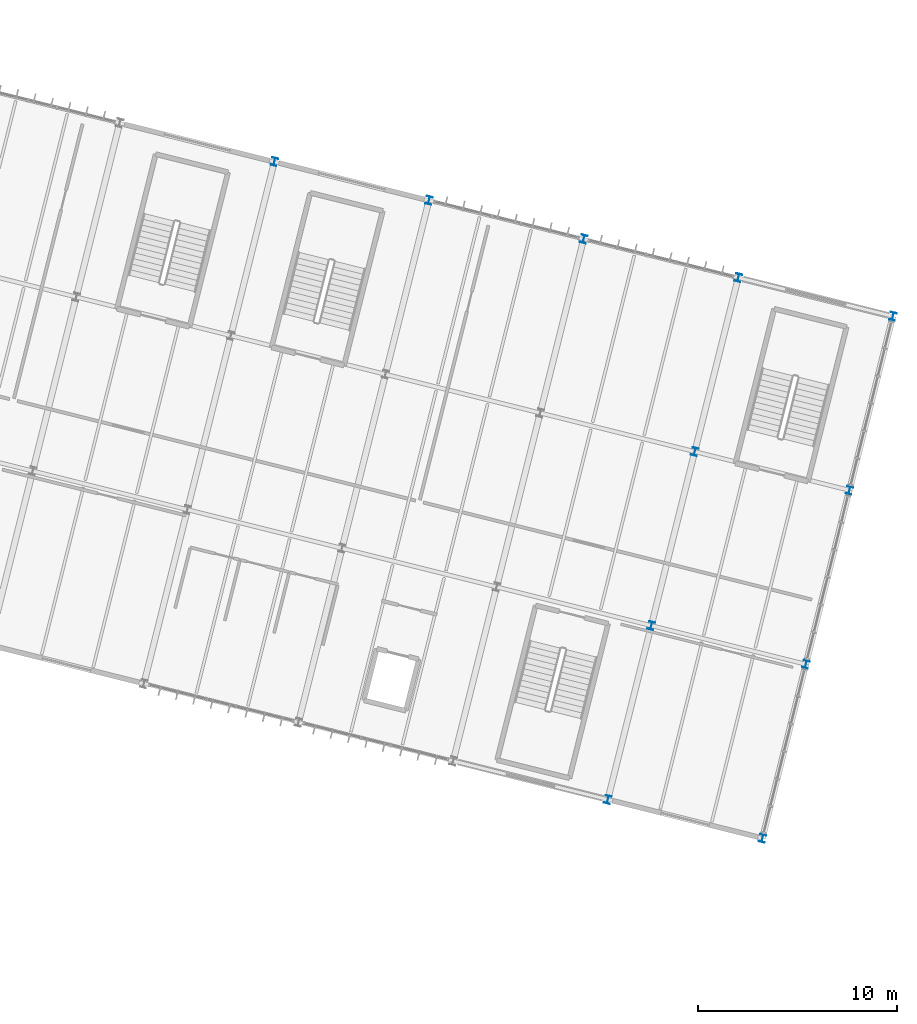
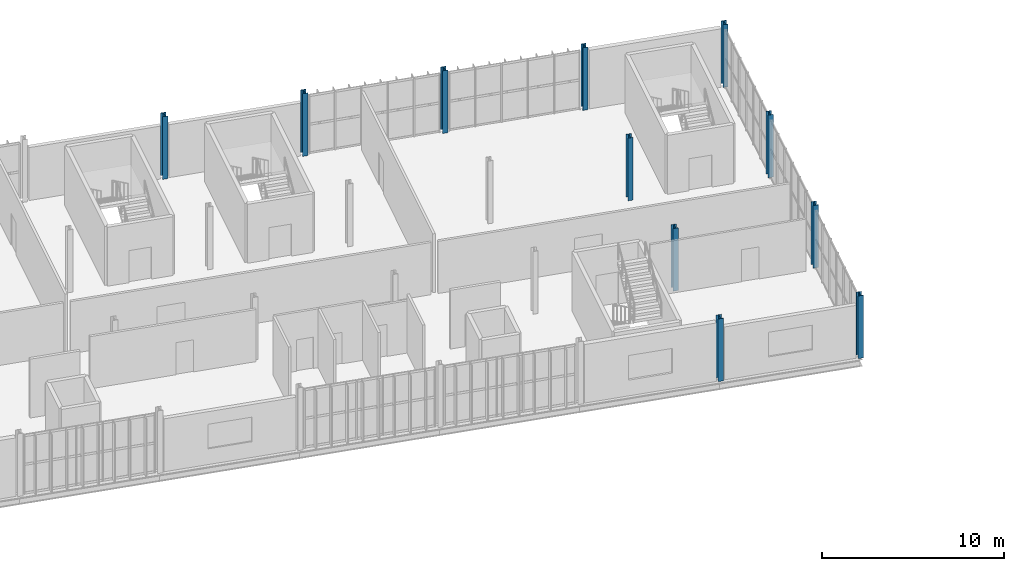
# One storey, part 6 of 61: 11 columns.
"""IFC4 building model written with IfcOpenShell, lengths in metres."""

from ifc_helpers import new_model, si_unit, derived_unit, direction, frame, origin, origin_2d, place, context, subcontext, project, spatial, i_section, extrude, material, material_profile, profile_set, type_object, element, save


model = new_model("IFC4")

# Units and contexts
model_context = context("Model", 3, precision=1e-05, world=origin(), true_north=direction((0.0, 1.0)))
body_context = subcontext(model_context, "Body", "Model", "MODEL_VIEW")
ifc_project = project(units=[si_unit("LENGTHUNIT", "METRE"), si_unit("AREAUNIT", "SQUARE_METRE"), si_unit("VOLUMEUNIT", "CUBIC_METRE"), si_unit("PLANEANGLEUNIT", "RADIAN"), si_unit("MASSUNIT", "GRAM", prefix="KILO"), si_unit("THERMODYNAMICTEMPERATUREUNIT", "KELVIN"), si_unit("TIMEUNIT", "SECOND"), derived_unit("THERMALTRANSMITTANCEUNIT", [(si_unit("MASSUNIT", "GRAM", prefix="KILO"), 1), (si_unit("THERMODYNAMICTEMPERATUREUNIT", "KELVIN"), -1), (si_unit("TIMEUNIT", "SECOND"), -3)])], contexts=[model_context])

# Site, building, storey
site_placement = place(None, origin())
site = spatial("IfcSite", under=ifc_project, at=site_placement, CompositionType="ELEMENT")
building_placement = place(site_placement, origin())
building = spatial("IfcBuilding", under=site, at=building_placement, Name="Cambertide Market Hall", CompositionType="ELEMENT")
storey_placement = place(building_placement, frame((0.0, 0.0, 9.89990234375)))
storey = spatial("IfcBuildingStorey", under=building, at=storey_placement, Name="L03", CompositionType="ELEMENT", Elevation=9.89990234375)

# Columns
ifc_material_1 = material(Name="Steel S355", Category="steel")
ifc_material_profile_1 = material_profile(ifc_material_1, i_section(OverallWidth=0.300048828125, OverallDepth=0.39990234375, WebThickness=0.013427734375, FlangeThickness=0.02392578125, FilletRadius=0.027099609375, at=origin_2d()), Name="HEB 400")
ifc_profile_set_1 = profile_set([ifc_material_profile_1], Name="Steel S355")
column_type_1 = type_object("IfcColumnType", Name="Exterior Steel Column HEB 400", PredefinedType="COLUMN", material=ifc_profile_set_1)
for number, where, z_axis, x_axis, name in (
    (1, (145.593017578125, 118.4326171875, 0.0), (0.0, 0.0, 1.0), (0.970142500145, -0.242535625038, 0.0), "Level 3 Column COL-V4-5-4-L03"),
    (2, (153.354248046875, 116.492431640625, 0.0), (0.0, 0.0, 1.0), (0.970142500145, -0.242535625038, 0.0), "Level 3 Column COL-V4-6-4-L03"),
    (3, (161.115234375, 114.55224609375, 0.0), (0.0, 0.0, 1.0), (0.970142500145, -0.242535625038, 0.0), "Level 3 Column COL-V4-7-4-L03"),
    (4, (162.327880859375, 86.41796875, 0.0), (0.0, 0.0, 1.0), (0.970142500145, -0.242535625038, 0.0), "Level 3 Column COL-V4-8-1-L03"),
    (5, (168.87646484375, 112.61181640625, 0.0), (0.0, 0.0, 1.0), (0.970142500145, -0.242535625038, 0.0), "Level 3 Column COL-V4-8-4-L03"),
    (6, (170.089111328125, 84.477783203125, 0.0), (0.0, 0.0, 1.0), (0.970142500145, -0.242535625038, 0.0), "Level 3 Column COL-V4-9-1-L03"),
    (7, (172.27197265625, 93.208984375, 0.0), (0.0, 0.0, 1.0), (0.970142500145, -0.242535625038, 0.0), "Level 3 Column COL-V4-9-2-L03"),
    (8, (174.454833984375, 101.940185546875, 0.0), (0.0, 0.0, 1.0), (0.970142500145, -0.242535625038, 0.0), "Level 3 Column COL-V4-9-3-L03"),
    (9, (176.6376953125, 110.671630859375, 0.0), (0.0, 0.0, 1.0), (0.970142500145, -0.242535625038, 0.0), "Level 3 Column COL-V4-9-4-L03"),
):
    element("IfcColumn", number, at=place(storey_placement, frame(where, z_axis=z_axis, x_axis=x_axis)), inside=storey, type_object=column_type_1, Name=name, PredefinedType="COLUMN", context=body_context, shape_type="SweptSolid", body=[
        extrude(i_section(OverallWidth=0.300048828125, OverallDepth=0.39990234375, WebThickness=0.013427734375, FlangeThickness=0.02392578125, FilletRadius=0.027099609375, at=origin_2d()), origin(), (0.0, 0.0, 1.0), 4.2001953125),
    ])
ifc_material_2 = material(Name="Steel S355", Category="steel")
ifc_material_profile_2 = material_profile(ifc_material_2, i_section(OverallWidth=0.300048828125, OverallDepth=0.39990234375, WebThickness=0.013427734375, FlangeThickness=0.02392578125, FilletRadius=0.027099609375, at=origin_2d()), Name="HEB 400")
ifc_profile_set_2 = profile_set([ifc_material_profile_2], Name="Steel S355")
column_type_2 = type_object("IfcColumnType", Name="Steel Column HEB 400", PredefinedType="COLUMN", material=ifc_profile_set_2)
for number, where, z_axis, x_axis, name in (
    (10, (164.5107421875, 95.149169921875, 0.0), (0.0, 0.0, 1.0), (0.970142500145, -0.242535625038, 0.0), "Level 3 Column COL-V4-8-2-L03"),
    (11, (166.693603515625, 103.880615234375, 0.0), (0.0, 0.0, 1.0), (0.970142500145, -0.242535625038, 0.0), "Level 3 Column COL-V4-8-3-L03"),
):
    element("IfcColumn", number, at=place(storey_placement, frame(where, z_axis=z_axis, x_axis=x_axis)), inside=storey, type_object=column_type_2, Name=name, PredefinedType="COLUMN", context=body_context, shape_type="SweptSolid", body=[
        extrude(i_section(OverallWidth=0.300048828125, OverallDepth=0.39990234375, WebThickness=0.013427734375, FlangeThickness=0.02392578125, FilletRadius=0.027099609375, at=origin_2d()), origin(), (0.0, 0.0, 1.0), 4.2001953125),
    ])

save(model, "model.ifc")
